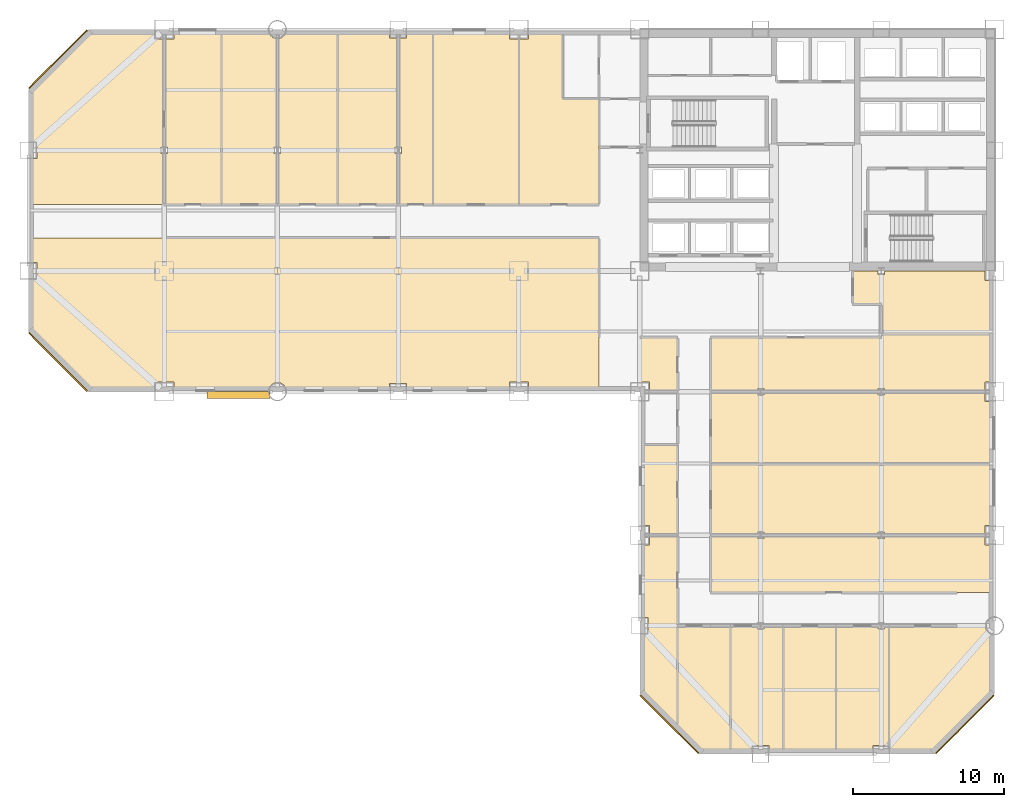
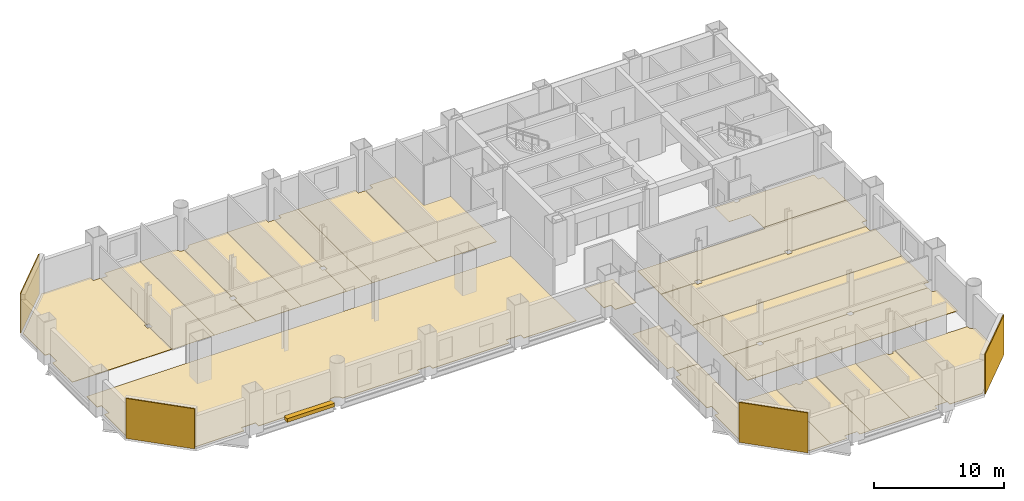
# One storey, part 8 of 9: 26 coverings, 1 shading device.
"""IFC4 building model written with IfcOpenShell, lengths in metres."""

from ifc_helpers import new_model, si_unit, direction, frame, origin, origin_2d, place, context, subcontext, project, spatial, polyline, rectangle, outline, extrude, material, layer, layer_set, type_object, element, save


model = new_model("IFC4")

# Units and contexts
model_context = context("Model", 3, precision=1e-05, world=origin(), true_north=direction((0.0, 1.0)))
body_context = subcontext(model_context, "Body", "Model", "MODEL_VIEW")
ifc_project = project(units=[si_unit("LENGTHUNIT", "METRE"), si_unit("AREAUNIT", "SQUARE_METRE"), si_unit("VOLUMEUNIT", "CUBIC_METRE"), si_unit("PLANEANGLEUNIT", "RADIAN"), si_unit("MASSUNIT", "GRAM", prefix="KILO")], contexts=[model_context])

# Site, building, storey
site_placement = place(None, origin())
site = spatial("IfcSite", under=ifc_project, at=site_placement, CompositionType="ELEMENT")
building_placement = place(site_placement, origin())
building = spatial("IfcBuilding", under=site, at=building_placement, Name="Qianrong Seaharbour Tower", CompositionType="ELEMENT")
storey_placement = place(building_placement, frame((0.0, 0.0, 36.199951171875)))
storey = spatial("IfcBuildingStorey", under=building, at=storey_placement, Name="L08", CompositionType="ELEMENT", Elevation=36.199951171875)

# Coverings
ifc_material_1 = material(Name="Unitised red brick cladding on Precast concrete C45/55", Category="masonry")
ifc_layer_1 = layer(ifc_material_1, 0.080078125)
ifc_layer_set_1 = layer_set([ifc_layer_1], Name="Unitised red brick cladding on Precast concrete C45/55")
covering_type_1 = type_object("IfcCoveringType", Name="COV-CLAD-RED-BRICK-80", PredefinedType="CLADDING", material=ifc_layer_set_1)
for number, where, z_axis, x_axis, name in (
    (1, (1.9716796875, 29.9716796875, 0.0), (0.0, 0.0, 1.0), (-0.707106781187, 0.707106781187, 0.0), "L08 Chamfer Corner Brick Cladding 02"),
    (2, (1.9716796875, 50.0283203125, 0.0), (0.0, 0.0, 1.0), (0.707106781187, 0.707106781187, 0.0), "L08 Chamfer Corner Brick Cladding 04"),
    (3, (62.0283203125, 5.9716796875, 0.0), (0.0, 0.0, 1.0), (-0.707106781187, -0.707106781187, 0.0), "L08 Chamfer Corner Brick Cladding 07"),
    (4, (42.4716796875, 5.9716796875, 0.0), (0.0, 0.0, 1.0), (-0.707106781187, 0.707106781187, 0.0), "L08 Chamfer Corner Brick Cladding 09"),
):
    element("IfcCovering", number, at=place(storey_placement, frame(where, z_axis=z_axis, x_axis=x_axis)), inside=storey, type_object=covering_type_1, Name=name, PredefinedType="CLADDING", context=body_context, shape_type="SweptSolid", body=[
        extrude(rectangle(XDim=5.456787109375, YDim=0.080078125, at=origin_2d()), origin(), (0.0, 0.0, 1.0), 3.75),
    ])
ifc_material_2 = material(Name="Acoustic modular carpet tile flooring")
ifc_layer_2 = layer(ifc_material_2, 0.02001953125)
ifc_layer_set_2 = layer_set([ifc_layer_2], Name="Acoustic modular carpet tile flooring")
covering_type_2 = type_object("IfcCoveringType", Name="COV-FLOOR-CARPET-20", PredefinedType="FLOORING", material=ifc_layer_set_2)
covering_1_placement = place(storey_placement, origin())
element("IfcCovering", 5, at=covering_1_placement, inside=storey, type_object=covering_type_2, Name="L08 Focus Room 2 Finish Flooring", PredefinedType="FLOORING", context=body_context, shape_type="SweptSolid", body=[
    extrude(outline(polyline([(9.0, 43.77587890625), (9.21337890625, 43.77587890625), (9.21337890625, 44.22412109375), (9.0, 44.22412109375), (9.0, 51.364990234375), (9.635009765625, 51.364990234375), (9.635009765625, 51.824951171875), (12.800048828125, 51.824951171875), (12.800048828125, 40.39990234375), (9.0, 40.39990234375), (9.0, 43.77587890625)])), origin(), (0.0, 0.0, 1.0), 0.02001953125),
])
covering_2_placement = place(storey_placement, origin())
element("IfcCovering", 6, at=covering_2_placement, inside=storey, type_object=covering_type_2, Name="L08 Meeting Room 3 Finish Flooring", PredefinedType="FLOORING", context=body_context, shape_type="SweptSolid", body=[
    extrude(outline(polyline([(12.800048828125, 51.824951171875), (15.918701171875, 51.824951171875), (15.936279296875, 51.7666015625), (15.992919921875, 51.6611328125), (16.068603515625, 51.568603515625), (16.1611328125, 51.492919921875), (16.2666015625, 51.436279296875), (16.381103515625, 51.401611328125), (16.5, 51.389892578125), (16.5, 44.22412109375), (16.28662109375, 44.22412109375), (16.28662109375, 43.77587890625), (16.5, 43.77587890625), (16.5, 40.39990234375), (12.800048828125, 40.39990234375), (12.800048828125, 51.824951171875)])), origin(), (0.0, 0.0, 1.0), 0.02001953125),
])
covering_3_placement = place(storey_placement, origin())
element("IfcCovering", 7, at=covering_3_placement, inside=storey, type_object=covering_type_2, Name="L08 Focus Room 6 Finish Flooring", PredefinedType="FLOORING", context=body_context, shape_type="SweptSolid", body=[
    extrude(outline(polyline([(24.5, 43.77587890625), (24.71337890625, 43.77587890625), (24.71337890625, 44.22412109375), (24.5, 44.22412109375), (24.5, 51.43994140625), (25.06005859375, 51.43994140625), (25.06005859375, 51.824951171875), (26.800048828125, 51.824951171875), (26.800048828125, 40.39990234375), (24.5, 40.39990234375), (24.5, 43.77587890625)])), origin(), (0.0, 0.0, 1.0), 0.02001953125),
])
covering_4_placement = place(storey_placement, origin())
element("IfcCovering", 8, at=covering_4_placement, inside=storey, type_object=covering_type_2, Name="L08 Meeting Room 7 Finish Flooring", PredefinedType="FLOORING", context=body_context, shape_type="SweptSolid", body=[
    extrude(outline(polyline([(26.800048828125, 51.824951171875), (31.864990234375, 51.824951171875), (31.864990234375, 51.364990234375), (32.5, 51.364990234375), (32.5, 40.39990234375), (26.800048828125, 40.39990234375), (26.800048828125, 51.824951171875)])), origin(), (0.0, 0.0, 1.0), 0.02001953125),
])
covering_5_placement = place(storey_placement, origin())
element("IfcCovering", 9, at=covering_5_placement, inside=storey, type_object=covering_type_2, Name="L08 Boardroom 2 Finish Flooring", PredefinedType="FLOORING", context=body_context, shape_type="SweptSolid", body=[
    extrude(outline(polyline([(63.824951171875, 23.199951171875), (63.824951171875, 19.135009765625), (63.364990234375, 19.135009765625), (63.364990234375, 18.5), (56.71337890625, 18.5), (56.71337890625, 18.72412109375), (56.28662109375, 18.72412109375), (56.28662109375, 18.5), (48.71337890625, 18.5), (48.71337890625, 18.72412109375), (48.28662109375, 18.72412109375), (48.28662109375, 18.5), (45.199951171875, 18.5), (45.199951171875, 23.199951171875), (63.824951171875, 23.199951171875)])), origin(), (0.0, 0.0, 1.0), 0.02001953125),
])
covering_6_placement = place(storey_placement, origin())
element("IfcCovering", 10, at=covering_6_placement, inside=storey, type_object=covering_type_2, Name="L08 Focus Room 3 Finish Flooring", PredefinedType="FLOORING", context=body_context, shape_type="SweptSolid", body=[
    extrude(outline(polyline([(48.28662109375, 28.0), (48.28662109375, 27.77587890625), (48.71337890625, 27.77587890625), (48.71337890625, 28.0), (56.28662109375, 28.0), (56.28662109375, 27.77587890625), (56.71337890625, 27.77587890625), (56.71337890625, 28.0), (63.364990234375, 28.0), (63.364990234375, 27.364990234375), (63.824951171875, 27.364990234375), (63.824951171875, 23.199951171875), (45.199951171875, 23.199951171875), (45.199951171875, 28.0), (48.28662109375, 28.0)])), origin(), (0.0, 0.0, 1.0), 0.02001953125),
])
covering_7_placement = place(storey_placement, origin())
element("IfcCovering", 11, at=covering_7_placement, inside=storey, type_object=covering_type_2, Name="L08 Boardroom 5 Finish Flooring", PredefinedType="FLOORING", context=body_context, shape_type="SweptSolid", body=[
    extrude(outline(polyline([(63.824951171875, 31.800048828125), (56.5, 31.800048828125), (56.5, 33.800048828125), (54.60009765625, 33.800048828125), (54.60009765625, 36.0), (56.28662109375, 36.0), (56.28662109375, 35.77587890625), (56.71337890625, 35.77587890625), (56.71337890625, 36.0), (63.364990234375, 36.0), (63.364990234375, 35.364990234375), (63.824951171875, 35.364990234375), (63.824951171875, 31.800048828125)])), origin(), (0.0, 0.0, 1.0), 0.02001953125),
])
covering_8_placement = place(storey_placement, origin())
element("IfcCovering", 12, at=covering_8_placement, inside=storey, type_object=covering_type_2, Name="L08 Wet Pantry 2 Finish Flooring", PredefinedType="FLOORING", context=body_context, shape_type="SweptSolid", body=[
    extrude(outline(polyline([(41.135009765625, 18.5), (41.135009765625, 19.135009765625), (40.675048828125, 19.135009765625), (40.675048828125, 24.5), (43.0, 24.5), (43.0, 18.5), (41.135009765625, 18.5)])), origin(), (0.0, 0.0, 1.0), 0.02001953125),
])
covering_9_placement = place(storey_placement, origin())
element("IfcCovering", 13, at=covering_9_placement, inside=storey, type_object=covering_type_2, Name="L08 Meeting Room 2 Finish Flooring", PredefinedType="FLOORING", context=body_context, shape_type="SweptSolid", body=[
    extrude(outline(polyline([(50.0, 4.175048828125), (49.06005859375, 4.175048828125), (49.06005859375, 4.56005859375), (47.93994140625, 4.56005859375), (47.93994140625, 4.175048828125), (46.5, 4.175048828125), (46.5, 12.5), (48.28662109375, 12.5), (48.28662109375, 12.27587890625), (48.71337890625, 12.27587890625), (48.71337890625, 12.5), (50.0, 12.5), (50.0, 4.175048828125)])), origin(), (0.0, 0.0, 1.0), 0.02001953125),
])
covering_10_placement = place(storey_placement, origin())
element("IfcCovering", 14, at=covering_10_placement, inside=storey, type_object=covering_type_2, Name="L08 Meeting Room 4 Finish Flooring", PredefinedType="FLOORING", context=body_context, shape_type="SweptSolid", body=[
    extrude(outline(polyline([(57.0, 4.56005859375), (55.93994140625, 4.56005859375), (55.93994140625, 4.175048828125), (53.5, 4.175048828125), (53.5, 12.5), (56.28662109375, 12.5), (56.28662109375, 12.27587890625), (56.71337890625, 12.27587890625), (56.71337890625, 12.5), (57.0, 12.5), (57.0, 4.56005859375)])), origin(), (0.0, 0.0, 1.0), 0.02001953125),
])
ifc_material_3 = material(Name="Calcium-sulphate raised access floor tile")
ifc_layer_3 = layer(ifc_material_3, 0.044921875)
ifc_layer_set_3 = layer_set([ifc_layer_3], Name="Calcium-sulphate raised access floor tile")
covering_type_3 = type_object("IfcCoveringType", Name="COV-FLOOR-RAISED-45", PredefinedType="FLOORING", material=ifc_layer_set_3)
covering_11_placement = place(storey_placement, origin())
element("IfcCovering", 15, at=covering_11_placement, inside=storey, type_object=covering_type_3, Name="L08 Open-Plan Office Finish Flooring", PredefinedType="FLOORING", context=body_context, shape_type="SweptSolid", body=[
    extrude(outline(polyline([(33.135009765625, 28.175048828125), (33.135009765625, 28.635009765625), (31.864990234375, 28.635009765625), (31.864990234375, 28.175048828125), (25.06005859375, 28.175048828125), (25.06005859375, 28.56005859375), (23.93994140625, 28.56005859375), (23.93994140625, 28.175048828125), (17.081298828125, 28.175048828125), (17.063720703125, 28.2333984375), (17.007080078125, 28.3388671875), (16.931396484375, 28.431396484375), (16.8388671875, 28.507080078125), (16.7333984375, 28.563720703125), (16.618896484375, 28.598388671875), (16.5, 28.610107421875), (16.381103515625, 28.598388671875), (16.2666015625, 28.563720703125), (16.1611328125, 28.507080078125), (16.068603515625, 28.431396484375), (15.992919921875, 28.3388671875), (15.936279296875, 28.2333984375), (15.918701171875, 28.175048828125), (9.635009765625, 28.175048828125), (9.635009765625, 28.635009765625), (8.364990234375, 28.635009765625), (8.364990234375, 28.175048828125), (4.072509765625, 28.175048828125), (0.175048828125, 32.072509765625), (0.175048828125, 35.43994140625), (0.56005859375, 35.43994140625), (0.56005859375, 36.56005859375), (0.175048828125, 36.56005859375), (0.175048828125, 38.199951171875), (37.800048828125, 38.199951171875), (37.800048828125, 28.175048828125), (33.135009765625, 28.175048828125)])), origin(), (0.0, 0.0, 1.0), 0.045166015625),
])
covering_12_placement = place(storey_placement, origin())
element("IfcCovering", 16, at=covering_12_placement, inside=storey, type_object=covering_type_3, Name="L08 Executive Office 1 Finish Flooring", PredefinedType="FLOORING", context=body_context, shape_type="SweptSolid", body=[
    extrude(outline(polyline([(0.175048828125, 43.43994140625), (0.56005859375, 43.43994140625), (0.56005859375, 44.56005859375), (0.175048828125, 44.56005859375), (0.175048828125, 47.927490234375), (4.072509765625, 51.824951171875), (8.364990234375, 51.824951171875), (8.364990234375, 51.364990234375), (9.0, 51.364990234375), (9.0, 44.22412109375), (8.78662109375, 44.22412109375), (8.78662109375, 43.77587890625), (9.0, 43.77587890625), (9.0, 40.39990234375), (0.175048828125, 40.39990234375), (0.175048828125, 43.43994140625)])), origin(), (0.0, 0.0, 1.0), 0.045166015625),
])
covering_13_placement = place(storey_placement, origin())
element("IfcCovering", 17, at=covering_13_placement, inside=storey, type_object=covering_type_3, Name="L08 Executive Office 4 Finish Flooring", PredefinedType="FLOORING", context=body_context, shape_type="SweptSolid", body=[
    extrude(outline(polyline([(16.5, 43.77587890625), (16.71337890625, 43.77587890625), (16.71337890625, 44.22412109375), (16.5, 44.22412109375), (16.5, 51.389892578125), (16.618896484375, 51.401611328125), (16.7333984375, 51.436279296875), (16.8388671875, 51.492919921875), (16.931396484375, 51.568603515625), (17.007080078125, 51.6611328125), (17.063720703125, 51.7666015625), (17.081298828125, 51.824951171875), (20.5, 51.824951171875), (20.5, 40.39990234375), (16.5, 40.39990234375), (16.5, 43.77587890625)])), origin(), (0.0, 0.0, 1.0), 0.045166015625),
])
covering_14_placement = place(storey_placement, origin())
element("IfcCovering", 18, at=covering_14_placement, inside=storey, type_object=covering_type_3, Name="L08 Executive Office 5 Finish Flooring", PredefinedType="FLOORING", context=body_context, shape_type="SweptSolid", body=[
    extrude(outline(polyline([(20.5, 51.824951171875), (23.93994140625, 51.824951171875), (23.93994140625, 51.43994140625), (24.5, 51.43994140625), (24.5, 44.22412109375), (24.28662109375, 44.22412109375), (24.28662109375, 43.77587890625), (24.5, 43.77587890625), (24.5, 40.39990234375), (20.5, 40.39990234375), (20.5, 51.824951171875)])), origin(), (0.0, 0.0, 1.0), 0.045166015625),
])
covering_15_placement = place(storey_placement, origin())
element("IfcCovering", 19, at=covering_15_placement, inside=storey, type_object=covering_type_3, Name="L08 Executive Office 8 Finish Flooring", PredefinedType="FLOORING", context=body_context, shape_type="SweptSolid", body=[
    extrude(outline(polyline([(32.5, 51.364990234375), (33.135009765625, 51.364990234375), (33.135009765625, 51.824951171875), (35.39990234375, 51.824951171875), (35.39990234375, 47.39990234375), (37.800048828125, 47.39990234375), (37.800048828125, 40.39990234375), (32.5, 40.39990234375), (32.5, 51.364990234375)])), origin(), (0.0, 0.0, 1.0), 0.045166015625),
])
covering_16_placement = place(storey_placement, origin())
element("IfcCovering", 20, at=covering_16_placement, inside=storey, type_object=covering_type_3, Name="L08 Executive Office 1 Finish Flooring", PredefinedType="FLOORING", context=body_context, shape_type="SweptSolid", body=[
    extrude(outline(polyline([(48.28662109375, 18.5), (48.28662109375, 18.27587890625), (48.71337890625, 18.27587890625), (48.71337890625, 18.5), (56.28662109375, 18.5), (56.28662109375, 18.27587890625), (56.71337890625, 18.27587890625), (56.71337890625, 18.5), (63.364990234375, 18.5), (63.364990234375, 17.864990234375), (63.824951171875, 17.864990234375), (63.824951171875, 14.699951171875), (45.199951171875, 14.699951171875), (45.199951171875, 18.5), (48.28662109375, 18.5)])), origin(), (0.0, 0.0, 1.0), 0.045166015625),
])
covering_17_placement = place(storey_placement, origin())
element("IfcCovering", 21, at=covering_17_placement, inside=storey, type_object=covering_type_3, Name="L08 Executive Office 4 Finish Flooring", PredefinedType="FLOORING", context=body_context, shape_type="SweptSolid", body=[
    extrude(outline(polyline([(56.5, 31.60009765625), (56.5, 31.800048828125), (63.824951171875, 31.800048828125), (63.824951171875, 28.635009765625), (63.364990234375, 28.635009765625), (63.364990234375, 28.0), (56.71337890625, 28.0), (56.71337890625, 28.22412109375), (56.28662109375, 28.22412109375), (56.28662109375, 28.0), (48.71337890625, 28.0), (48.71337890625, 28.22412109375), (48.28662109375, 28.22412109375), (48.28662109375, 28.0), (45.199951171875, 28.0), (45.199951171875, 31.60009765625), (56.5, 31.60009765625)])), origin(), (0.0, 0.0, 1.0), 0.045166015625),
])
covering_18_placement = place(storey_placement, origin())
element("IfcCovering", 22, at=covering_18_placement, inside=storey, type_object=covering_type_3, Name="L08 Executive Office 1 Finish Flooring", PredefinedType="FLOORING", context=body_context, shape_type="SweptSolid", body=[
    extrude(outline(polyline([(40.675048828125, 8.072509765625), (40.675048828125, 11.93994140625), (41.06005859375, 11.93994140625), (41.06005859375, 13.06005859375), (40.675048828125, 13.06005859375), (40.675048828125, 17.864990234375), (41.135009765625, 17.864990234375), (41.135009765625, 18.5), (43.0, 18.5), (43.0, 5.74755859375), (40.675048828125, 8.072509765625)])), origin(), (0.0, 0.0, 1.0), 0.045166015625),
])
covering_19_placement = place(storey_placement, origin())
element("IfcCovering", 23, at=covering_19_placement, inside=storey, type_object=covering_type_3, Name="L08 Executive Office 4 Finish Flooring", PredefinedType="FLOORING", context=body_context, shape_type="SweptSolid", body=[
    extrude(outline(polyline([(43.0, 28.0), (41.135009765625, 28.0), (41.135009765625, 28.635009765625), (40.5, 28.635009765625), (40.5, 31.60009765625), (43.0, 31.60009765625), (43.0, 28.0)])), origin(), (0.0, 0.0, 1.0), 0.045166015625),
])
covering_20_placement = place(storey_placement, origin())
element("IfcCovering", 24, at=covering_20_placement, inside=storey, type_object=covering_type_3, Name="L08 Executive Office 1 Finish Flooring", PredefinedType="FLOORING", context=body_context, shape_type="SweptSolid", body=[
    extrude(outline(polyline([(46.5, 4.175048828125), (44.572509765625, 4.175048828125), (43.0, 5.74755859375), (43.0, 12.5), (46.5, 12.5), (46.5, 4.175048828125)])), origin(), (0.0, 0.0, 1.0), 0.045166015625),
])
covering_21_placement = place(storey_placement, origin())
element("IfcCovering", 25, at=covering_21_placement, inside=storey, type_object=covering_type_3, Name="L08 Executive Office 3 Finish Flooring", PredefinedType="FLOORING", context=body_context, shape_type="SweptSolid", body=[
    extrude(outline(polyline([(53.5, 4.175048828125), (50.0, 4.175048828125), (50.0, 12.5), (53.5, 12.5), (53.5, 4.175048828125)])), origin(), (0.0, 0.0, 1.0), 0.045166015625),
])
covering_22_placement = place(storey_placement, origin())
element("IfcCovering", 26, at=covering_22_placement, inside=storey, type_object=covering_type_3, Name="L08 Executive Office 5 Finish Flooring", PredefinedType="FLOORING", context=body_context, shape_type="SweptSolid", body=[
    extrude(outline(polyline([(63.824951171875, 8.072509765625), (59.927490234375, 4.175048828125), (57.06005859375, 4.175048828125), (57.06005859375, 4.56005859375), (57.0, 4.56005859375), (57.0, 12.5), (63.389892578125, 12.5), (63.401611328125, 12.381103515625), (63.436279296875, 12.2666015625), (63.492919921875, 12.1611328125), (63.568603515625, 12.068603515625), (63.6611328125, 11.992919921875), (63.7666015625, 11.936279296875), (63.824951171875, 11.918701171875), (63.824951171875, 8.072509765625)])), origin(), (0.0, 0.0, 1.0), 0.045166015625),
])

# Shading device
ifc_material_4 = material(Name="White architectural precast concrete C45/55", Category="concrete")
shading_device_type = type_object("IfcShadingDeviceType", Name="SHD-SUNSHADE-WHITE-320", PredefinedType="AWNING", material=ifc_material_4)
shading_device_placement = place(storey_placement, frame((13.925048828125, 27.780029296875, -0.02001953125), z_axis=(0.0, 0.0, 1.0), x_axis=(1.0, 0.0, 0.0)))
element("IfcShadingDevice", 27, at=shading_device_placement, inside=storey, type_object=shading_device_type, Name="L08 Climbing White Precast Ribbon Canopy Fin", PredefinedType="AWNING", context=body_context, shape_type="SweptSolid", body=[
    extrude(rectangle(XDim=4.199951171875, YDim=0.4599609375, at=origin_2d()), origin(), (0.0, 0.0, 1.0), 0.340087890625),
])

save(model, "model.ifc")
